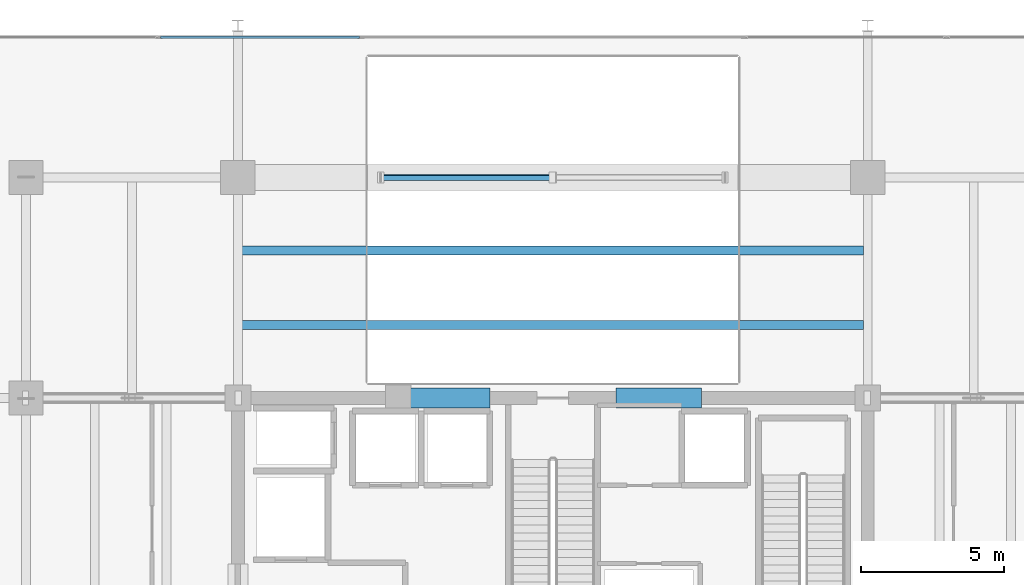
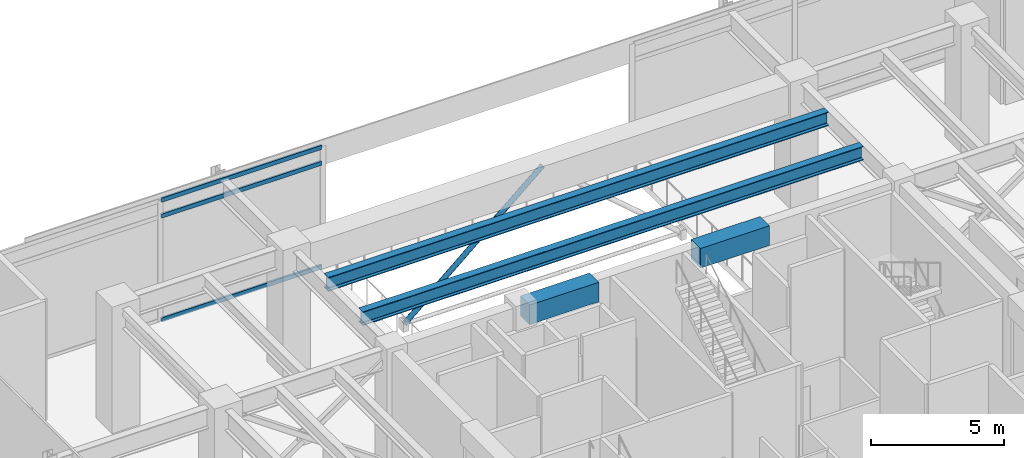
# One storey, part 14 of 26: 4 beams, 4 members, 1 element without a shape of its own.
"""IFC4 building model written with IfcOpenShell, lengths in metres."""

from ifc_helpers import new_model, si_unit, direction, frame, origin, origin_2d, place, context, subcontext, project, spatial, rectangle, hollow_rectangle, hollow_circle, i_section, extrude, material, material_profile, profile_set, type_object, element, aggregate, save


model = new_model("IFC4")

# Units and contexts
model_context = context("Model", 3, precision=1e-05, world=origin(), true_north=direction((0.0, 1.0)))
body_context = subcontext(model_context, "Body", "Model", "MODEL_VIEW")
ifc_project = project(units=[si_unit("LENGTHUNIT", "METRE"), si_unit("AREAUNIT", "SQUARE_METRE"), si_unit("VOLUMEUNIT", "CUBIC_METRE"), si_unit("PLANEANGLEUNIT", "RADIAN"), si_unit("MASSUNIT", "GRAM", prefix="KILO")], contexts=[model_context])

# Site, building, storey
site_placement = place(None, origin())
site = spatial("IfcSite", under=ifc_project, at=site_placement, CompositionType="ELEMENT")
building_placement = place(site_placement, origin())
building = spatial("IfcBuilding", under=site, at=building_placement, Name="Kovane Verandah Tower", CompositionType="ELEMENT")
storey_placement = place(building_placement, frame((0.0, 0.0, 301.0)))
storey = spatial("IfcBuildingStorey", under=building, at=storey_placement, Name="L70", CompositionType="ELEMENT", Elevation=301.0)

# Beams
ifc_material_1 = material(Name="Concrete C60/75", Category="concrete")
ifc_material_profile_1 = material_profile(ifc_material_1, rectangle(XDim=0.699951171875, YDim=0.89990234375, at=origin_2d()), Name="RCB700x900")
ifc_profile_set_1 = profile_set([ifc_material_profile_1], Name="Concrete C60/75")
beam_type_1 = type_object("IfcBeamType", Name="BM-LINTEL-700x900", PredefinedType="LINTEL", material=ifc_profile_set_1)
for number, where, z_axis, x_axis, name in (
    (1, (34.800048828125, 36.5, 5.135009765625), (1.0, 0.0, 0.0), (0.0, 1.0, 0.0), "L70 Core Coupling Lintel CL-N1"),
    (2, (42.199951171875, 36.5, 5.135009765625), (1.0, 0.0, 0.0), (0.0, 1.0, 0.0), "L70 Core Coupling Lintel CL-N2"),
):
    element("IfcBeam", number, at=place(storey_placement, frame(where, z_axis=z_axis, x_axis=x_axis)), inside=storey, type_object=beam_type_1, Name=name, PredefinedType="LINTEL", context=body_context, shape_type="SweptSolid", body=[
        extrude(rectangle(XDim=0.699951171875, YDim=0.89990234375, at=origin_2d()), origin(), (0.0, 0.0, 1.0), 3.0),
    ])
ifc_material_2 = material(Name="Steel S460", Category="steel")
ifc_material_profile_2 = material_profile(ifc_material_2, i_section(OverallWidth=0.311279296875, OverallDepth=0.6357421875, WebThickness=0.018310546875, FlangeThickness=0.031494140625, FilletRadius=0.0166015625, at=origin_2d()), Name="UB610x305x238")
ifc_profile_set_2 = profile_set([ifc_material_profile_2], Name="Steel S460")
beam_type_2 = type_object("IfcBeamType", Name="BM-UB610x238", PredefinedType="BEAM", material=ifc_profile_set_2)
for number, where, z_axis, x_axis, name in (
    (3, (29.15185546875, 39.050048828125, 5.26708984375), (1.0, 0.0, 0.0), (0.0, 1.0, 0.0), "L70 Secondary Composite Joist J-N1"),
    (4, (29.15185546875, 41.64990234375, 5.26708984375), (1.0, 0.0, 0.0), (0.0, 1.0, 0.0), "L70 Secondary Composite Joist J-N2"),
):
    element("IfcBeam", number, at=place(storey_placement, frame(where, z_axis=z_axis, x_axis=x_axis)), inside=storey, type_object=beam_type_2, Name=name, PredefinedType="BEAM", context=body_context, shape_type="SweptSolid", body=[
        extrude(i_section(OverallWidth=0.311279296875, OverallDepth=0.6357421875, WebThickness=0.018310546875, FlangeThickness=0.031494140625, FilletRadius=0.0166015625, at=origin_2d()), origin(), (0.0, 0.0, 1.0), 21.6962890625),
    ])

# Curtain wall, members
ifc_material_3 = material(Name="Champagne Anodised Aluminium Frame with Low-E Clear Laminated Glass", Category="aluminium")
curtain_wall_type = type_object("IfcCurtainWallType", Name="CW-SYS-05-HIGH", PredefinedType="NOTDEFINED", material=ifc_material_3)
curtain_wall_placement = place(storey_placement, origin())
curtain_wall = element("IfcCurtainWall", 5, at=curtain_wall_placement, inside=storey, type_object=curtain_wall_type, Name="L70 North-West Wind-Portal Curtain Wall 1", PredefinedType="NOTDEFINED")
ifc_material_4 = material(Name="Champagne Anodised Aluminium 6063-T6", Category="aluminium")
ifc_material_profile_3 = material_profile(ifc_material_4, hollow_rectangle(XDim=0.0849609375, YDim=0.18994140625, WallThickness=0.00390625, at=origin_2d()), Name="AL85x190x4")
ifc_profile_set_3 = profile_set([ifc_material_profile_3], Name="Champagne Anodised Aluminium 6063-T6")
member_type_1 = type_object("IfcMemberType", Name="CW-TRN-85x190", PredefinedType="USERDEFINED", material=ifc_profile_set_3)
member_1_placement = place(storey_placement, frame((33.25, 49.10009765625, 0.050048828125), z_axis=(-1.0, 0.0, 0.0), x_axis=(0.0, -1.0, 0.0)))
member_1 = element("IfcMember", 6, at=member_1_placement, type_object=member_type_1, Name="L70 North-West Wind-Portal Curtain Wall 1 Transom TB Bay 1", ObjectType="TRANSOM", PredefinedType="USERDEFINED", context=body_context, shape_type="SweptSolid", body=[
    extrude(hollow_rectangle(XDim=0.0849609375, YDim=0.18994140625, WallThickness=0.00390625, at=origin_2d()), origin(), (0.0, 0.0, 1.0), 6.949951171875),
])
member_2_placement = place(storey_placement, frame((33.25, 49.10009765625, 4.804931640625), z_axis=(-1.0, 0.0, 0.0), x_axis=(0.0, -1.0, 0.0)))
member_2 = element("IfcMember", 7, at=member_2_placement, type_object=member_type_1, Name="L70 North-West Wind-Portal Curtain Wall 1 Transom TM Bay 1", ObjectType="TRANSOM", PredefinedType="USERDEFINED", context=body_context, shape_type="SweptSolid", body=[
    extrude(hollow_rectangle(XDim=0.0849609375, YDim=0.18994140625, WallThickness=0.00390625, at=origin_2d()), origin(), (0.0, 0.0, 1.0), 6.949951171875),
])
member_3_placement = place(storey_placement, frame((33.25, 49.10009765625, 5.534912109375), z_axis=(-1.0, 0.0, 0.0), x_axis=(0.0, -1.0, 0.0)))
member_3 = element("IfcMember", 8, at=member_3_placement, type_object=member_type_1, Name="L70 North-West Wind-Portal Curtain Wall 1 Transom TT Bay 1", ObjectType="TRANSOM", PredefinedType="USERDEFINED", context=body_context, shape_type="SweptSolid", body=[
    extrude(hollow_rectangle(XDim=0.0849609375, YDim=0.18994140625, WallThickness=0.00390625, at=origin_2d()), origin(), (0.0, 0.0, 1.0), 6.949951171875),
])
aggregate(curtain_wall, [member_1, member_2, member_3])

# Member
ifc_material_5 = material(Name="Steel S355", Category="steel")
ifc_material_profile_4 = material_profile(ifc_material_5, hollow_circle(Radius=0.109619140625, WallThickness=0.008056640625, at=origin_2d()), Name="CHS219.1x8")
ifc_profile_set_4 = profile_set([ifc_material_profile_4], Name="Steel S355")
member_type_2 = type_object("IfcMemberType", Name="MEM-STRUT-CHS219", PredefinedType="STRUT", material=ifc_profile_set_4)
member_4_placement = place(storey_placement, frame((34.0, 44.199951171875, 0.1201171875), z_axis=(0.757885694827, 0.0, 0.652387364667), x_axis=(0.0, 1.0, 0.0)))
element("IfcMember", 9, at=member_4_placement, inside=storey, type_object=member_type_2, Name="L70 Wind-Portal Aerodynamic V-Strut 1A", PredefinedType="STRUT", context=body_context, shape_type="SweptSolid", body=[
    extrude(hollow_circle(Radius=0.109619140625, WallThickness=0.008056640625, at=origin_2d()), origin(), (0.0, 0.0, 1.0), 7.916748046875),
])

save(model, "model.ifc")
